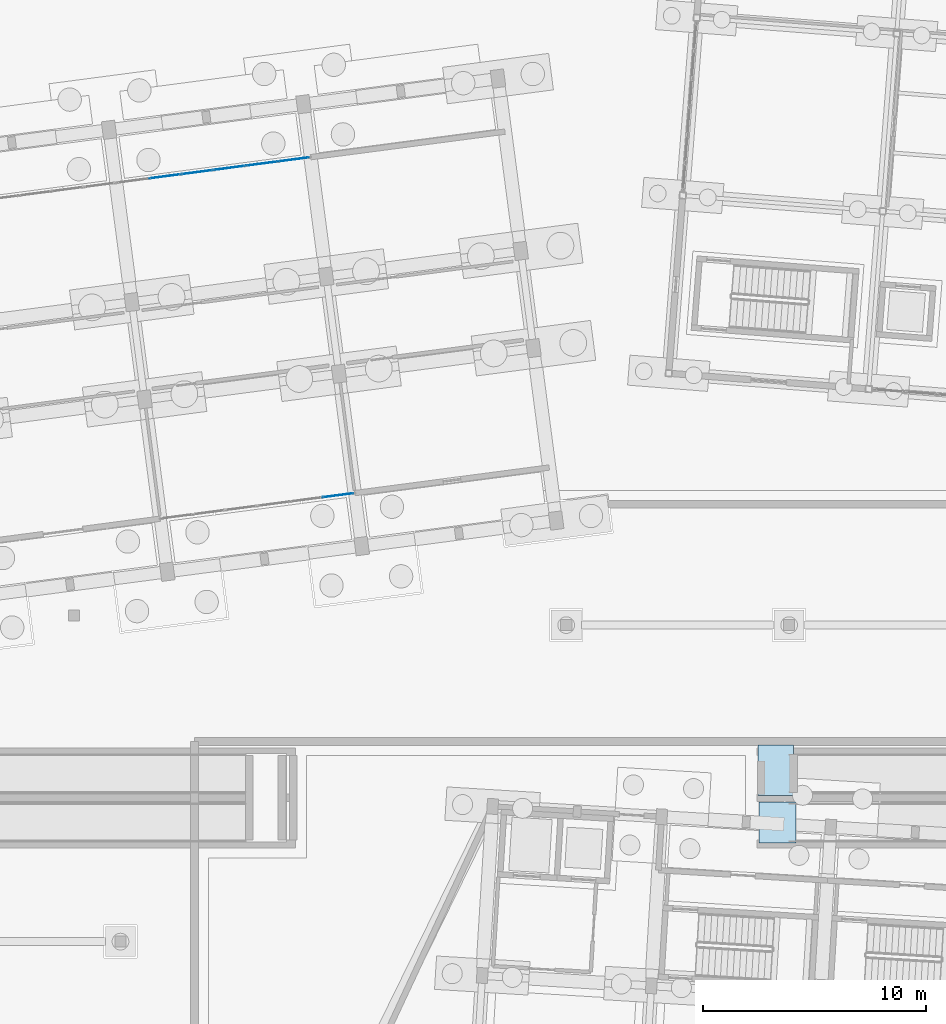
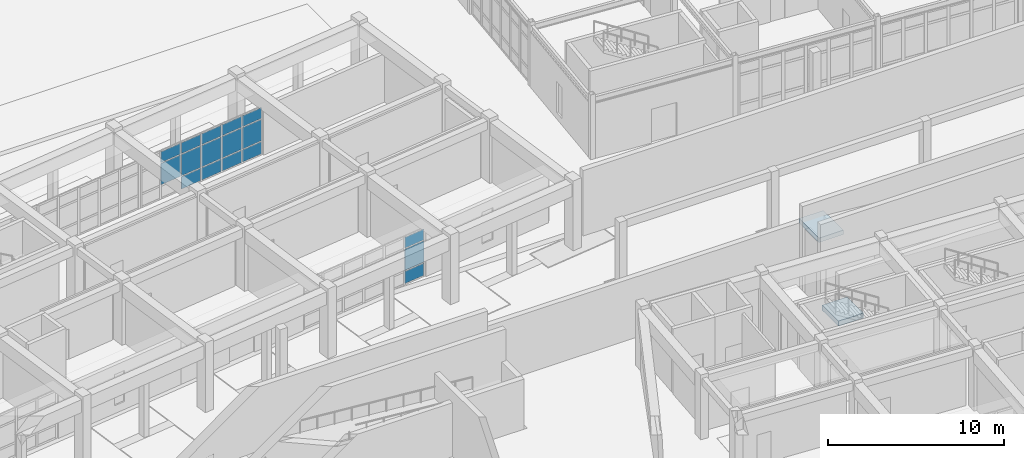
# One storey, part 108 of 154: 17 plates, 2 slabs, 4 elements without a shape of their own.
"""IFC4 building model written with IfcOpenShell, lengths in metres."""

from ifc_helpers import new_model, si_unit, direction, frame, origin, origin_2d, place, context, subcontext, project, spatial, polyline, rectangle, outline, extrude, material, layer, layer_set, type_object, element, aggregate, save


model = new_model("IFC4")

# Units and contexts
model_context = context("Model", 3, precision=1e-05, world=origin(), true_north=direction((0.0, 1.0)))
body_context = subcontext(model_context, "Body", "Model", "MODEL_VIEW")
ifc_project = project(units=[si_unit("LENGTHUNIT", "METRE"), si_unit("AREAUNIT", "SQUARE_METRE"), si_unit("VOLUMEUNIT", "CUBIC_METRE"), si_unit("PLANEANGLEUNIT", "RADIAN"), si_unit("MASSUNIT", "GRAM", prefix="KILO")], contexts=[model_context])

# Site, building, storey
site_placement = place(None, origin())
site = spatial("IfcSite", under=ifc_project, at=site_placement, CompositionType="ELEMENT")
building_placement = place(site_placement, origin())
building = spatial("IfcBuilding", under=site, at=building_placement, Name="Kestramere Prow Commons", CompositionType="ELEMENT")
storey_placement = place(building_placement, origin())
storey = spatial("IfcBuildingStorey", under=building, at=storey_placement, Name="L00", CompositionType="ELEMENT", Elevation=0.0)

# Curtain wall, plates
ifc_material_1 = material(Name="Anodised Aluminium and Low-E Glass", Category="aluminium")
curtain_wall_type = type_object("IfcCurtainWallType", Name="CW-01 Glazed Curtain Wall 8780x3350", PredefinedType="USERDEFINED", material=ifc_material_1)
curtain_wall_1_placement = place(storey_placement, origin())
curtain_wall_1 = element("IfcCurtainWall", 1, at=curtain_wall_1_placement, inside=storey, type_object=curtain_wall_type, Name="Block A L00 South Colonnade Storefront 5", ObjectType="GLAZED CURTAIN WALL", PredefinedType="USERDEFINED")
ifc_material_2 = material(Name="Low-E Laminated Double Glazing", Category="glass")
ifc_layer_1 = layer(ifc_material_2, 0.028076171875)
ifc_layer_set_1 = layer_set([ifc_layer_1], Name="Low-E Laminated Double Glazing")
plate_type = type_object("IfcPlateType", Name="CW-PNL-28", PredefinedType="CURTAIN_PANEL", material=ifc_layer_set_1)
plate_1_placement = place(storey_placement, frame((53.7587890625, 80.023681640625, 0.06494140625), z_axis=(0.0, 0.0, 1.0), x_axis=(-0.991444861125, -0.130526194106, 0.0)))
plate_1 = element("IfcPlate", 2, at=plate_1_placement, type_object=plate_type, Name="CW-01 panel 1.1", PredefinedType="CURTAIN_PANEL", context=body_context, shape_type="SweptSolid", body=[
    extrude(rectangle(XDim=1.36572265625, YDim=0.028076171875, at=origin_2d()), origin(), (0.0, 0.0, 1.0), 0.8525390625),
])
plate_2_placement = place(storey_placement, frame((53.7587890625, 80.023681640625, 0.982421875), z_axis=(0.0, 0.0, 1.0), x_axis=(-0.991444861125, -0.130526194106, 0.0)))
plate_2 = element("IfcPlate", 3, at=plate_2_placement, type_object=plate_type, Name="CW-01 panel 1.2", PredefinedType="CURTAIN_PANEL", context=body_context, shape_type="SweptSolid", body=[
    extrude(rectangle(XDim=1.36572265625, YDim=0.028076171875, at=origin_2d()), origin(), (0.0, 0.0, 1.0), 1.485107421875),
])
plate_3_placement = place(storey_placement, frame((53.7587890625, 80.023681640625, 2.532470703125), z_axis=(0.0, 0.0, 1.0), x_axis=(-0.991444861125, -0.130526194106, 0.0)))
plate_3 = element("IfcPlate", 4, at=plate_3_placement, type_object=plate_type, Name="CW-01 panel 1.3", PredefinedType="CURTAIN_PANEL", context=body_context, shape_type="SweptSolid", body=[
    extrude(rectangle(XDim=1.36572265625, YDim=0.028076171875, at=origin_2d()), origin(), (0.0, 0.0, 1.0), 0.75244140625),
])
aggregate(curtain_wall_1, [plate_1, plate_2, plate_3])

curtain_wall_2_placement = place(storey_placement, origin())
curtain_wall_2 = element("IfcCurtainWall", 5, at=curtain_wall_2_placement, inside=storey, type_object=curtain_wall_type, Name="Block A L00 North Courtyard Storefront 5", ObjectType="GLAZED CURTAIN WALL", PredefinedType="USERDEFINED")
plate_4_placement = place(storey_placement, frame((45.98779296875, 94.331787109375, 0.982421875), z_axis=(0.0, 0.0, 1.0), x_axis=(0.991444859185, 0.130526208849, 0.0)))
plate_4 = element("IfcPlate", 6, at=plate_4_placement, type_object=plate_type, Name="CW-01 panel 2.2", PredefinedType="CURTAIN_PANEL", context=body_context, shape_type="SweptSolid", body=[
    extrude(rectangle(XDim=1.3984375, YDim=0.028076171875, at=origin_2d()), origin(), (0.0, 0.0, 1.0), 1.485107421875),
])
plate_5_placement = place(storey_placement, frame((45.98779296875, 94.331787109375, 2.532470703125), z_axis=(0.0, 0.0, 1.0), x_axis=(0.991444859185, 0.130526208849, 0.0)))
plate_5 = element("IfcPlate", 7, at=plate_5_placement, type_object=plate_type, Name="CW-01 panel 2.3", PredefinedType="CURTAIN_PANEL", context=body_context, shape_type="SweptSolid", body=[
    extrude(rectangle(XDim=1.3984375, YDim=0.028076171875, at=origin_2d()), origin(), (0.0, 0.0, 1.0), 0.75244140625),
])
plate_6_placement = place(storey_placement, frame((47.4384765625, 94.522705078125, 0.06494140625), z_axis=(0.0, 0.0, 1.0), x_axis=(0.991444859185, 0.130526208849, 0.0)))
plate_6 = element("IfcPlate", 8, at=plate_6_placement, type_object=plate_type, Name="CW-01 panel 3.1", PredefinedType="CURTAIN_PANEL", context=body_context, shape_type="SweptSolid", body=[
    extrude(rectangle(XDim=1.3984375, YDim=0.028076171875, at=origin_2d()), origin(), (0.0, 0.0, 1.0), 0.8525390625),
])
plate_7_placement = place(storey_placement, frame((47.4384765625, 94.522705078125, 0.982421875), z_axis=(0.0, 0.0, 1.0), x_axis=(0.991444859185, 0.130526208849, 0.0)))
plate_7 = element("IfcPlate", 9, at=plate_7_placement, type_object=plate_type, Name="CW-01 panel 3.2", PredefinedType="CURTAIN_PANEL", context=body_context, shape_type="SweptSolid", body=[
    extrude(rectangle(XDim=1.3984375, YDim=0.028076171875, at=origin_2d()), origin(), (0.0, 0.0, 1.0), 1.485107421875),
])
plate_8_placement = place(storey_placement, frame((47.4384765625, 94.522705078125, 2.532470703125), z_axis=(0.0, 0.0, 1.0), x_axis=(0.991444859185, 0.130526208849, 0.0)))
plate_8 = element("IfcPlate", 10, at=plate_8_placement, type_object=plate_type, Name="CW-01 panel 3.3", PredefinedType="CURTAIN_PANEL", context=body_context, shape_type="SweptSolid", body=[
    extrude(rectangle(XDim=1.3984375, YDim=0.028076171875, at=origin_2d()), origin(), (0.0, 0.0, 1.0), 0.75244140625),
])
plate_9_placement = place(storey_placement, frame((48.889404296875, 94.7138671875, 0.06494140625), z_axis=(0.0, 0.0, 1.0), x_axis=(0.991444859185, 0.130526208849, 0.0)))
plate_9 = element("IfcPlate", 11, at=plate_9_placement, type_object=plate_type, Name="CW-01 panel 4.1", PredefinedType="CURTAIN_PANEL", context=body_context, shape_type="SweptSolid", body=[
    extrude(rectangle(XDim=1.3984375, YDim=0.028076171875, at=origin_2d()), origin(), (0.0, 0.0, 1.0), 0.8525390625),
])
plate_10_placement = place(storey_placement, frame((48.889404296875, 94.7138671875, 0.982421875), z_axis=(0.0, 0.0, 1.0), x_axis=(0.991444859185, 0.130526208849, 0.0)))
plate_10 = element("IfcPlate", 12, at=plate_10_placement, type_object=plate_type, Name="CW-01 panel 4.2", PredefinedType="CURTAIN_PANEL", context=body_context, shape_type="SweptSolid", body=[
    extrude(rectangle(XDim=1.3984375, YDim=0.028076171875, at=origin_2d()), origin(), (0.0, 0.0, 1.0), 1.485107421875),
])
plate_11_placement = place(storey_placement, frame((48.889404296875, 94.7138671875, 2.532470703125), z_axis=(0.0, 0.0, 1.0), x_axis=(0.991444859185, 0.130526208849, 0.0)))
plate_11 = element("IfcPlate", 13, at=plate_11_placement, type_object=plate_type, Name="CW-01 panel 4.3", PredefinedType="CURTAIN_PANEL", context=body_context, shape_type="SweptSolid", body=[
    extrude(rectangle(XDim=1.3984375, YDim=0.028076171875, at=origin_2d()), origin(), (0.0, 0.0, 1.0), 0.75244140625),
])
plate_12_placement = place(storey_placement, frame((50.340087890625, 94.90478515625, 0.06494140625), z_axis=(0.0, 0.0, 1.0), x_axis=(0.991444859185, 0.130526208849, 0.0)))
plate_12 = element("IfcPlate", 14, at=plate_12_placement, type_object=plate_type, Name="CW-01 panel 5.1", PredefinedType="CURTAIN_PANEL", context=body_context, shape_type="SweptSolid", body=[
    extrude(rectangle(XDim=1.3984375, YDim=0.028076171875, at=origin_2d()), origin(), (0.0, 0.0, 1.0), 0.8525390625),
])
plate_13_placement = place(storey_placement, frame((50.340087890625, 94.90478515625, 0.982421875), z_axis=(0.0, 0.0, 1.0), x_axis=(0.991444859185, 0.130526208849, 0.0)))
plate_13 = element("IfcPlate", 15, at=plate_13_placement, type_object=plate_type, Name="CW-01 panel 5.2", PredefinedType="CURTAIN_PANEL", context=body_context, shape_type="SweptSolid", body=[
    extrude(rectangle(XDim=1.3984375, YDim=0.028076171875, at=origin_2d()), origin(), (0.0, 0.0, 1.0), 1.485107421875),
])
plate_14_placement = place(storey_placement, frame((50.340087890625, 94.90478515625, 2.532470703125), z_axis=(0.0, 0.0, 1.0), x_axis=(0.991444859185, 0.130526208849, 0.0)))
plate_14 = element("IfcPlate", 16, at=plate_14_placement, type_object=plate_type, Name="CW-01 panel 5.3", PredefinedType="CURTAIN_PANEL", context=body_context, shape_type="SweptSolid", body=[
    extrude(rectangle(XDim=1.3984375, YDim=0.028076171875, at=origin_2d()), origin(), (0.0, 0.0, 1.0), 0.75244140625),
])
plate_15_placement = place(storey_placement, frame((51.77490234375, 95.09375, 0.06494140625), z_axis=(0.0, 0.0, 1.0), x_axis=(0.991444859185, 0.130526208849, 0.0)))
plate_15 = element("IfcPlate", 17, at=plate_15_placement, type_object=plate_type, Name="CW-01 panel 6.1", PredefinedType="CURTAIN_PANEL", context=body_context, shape_type="SweptSolid", body=[
    extrude(rectangle(XDim=1.36572265625, YDim=0.028076171875, at=origin_2d()), origin(), (0.0, 0.0, 1.0), 0.8525390625),
])
plate_16_placement = place(storey_placement, frame((51.77490234375, 95.09375, 0.982421875), z_axis=(0.0, 0.0, 1.0), x_axis=(0.991444859185, 0.130526208849, 0.0)))
plate_16 = element("IfcPlate", 18, at=plate_16_placement, type_object=plate_type, Name="CW-01 panel 6.2", PredefinedType="CURTAIN_PANEL", context=body_context, shape_type="SweptSolid", body=[
    extrude(rectangle(XDim=1.36572265625, YDim=0.028076171875, at=origin_2d()), origin(), (0.0, 0.0, 1.0), 1.485107421875),
])
plate_17_placement = place(storey_placement, frame((51.77490234375, 95.09375, 2.532470703125), z_axis=(0.0, 0.0, 1.0), x_axis=(0.991444859185, 0.130526208849, 0.0)))
plate_17 = element("IfcPlate", 19, at=plate_17_placement, type_object=plate_type, Name="CW-01 panel 6.3", PredefinedType="CURTAIN_PANEL", context=body_context, shape_type="SweptSolid", body=[
    extrude(rectangle(XDim=1.36572265625, YDim=0.028076171875, at=origin_2d()), origin(), (0.0, 0.0, 1.0), 0.75244140625),
])
aggregate(curtain_wall_2, [plate_4, plate_5, plate_6, plate_7, plate_8, plate_9, plate_10, plate_11, plate_12, plate_13, plate_14, plate_15, plate_16, plate_17])

# Ramp, slab
ifc_material_3 = material(Name="Concrete C35/45", Category="concrete")
ramp_type = type_object("IfcRampType", Name="RMP-ACC-1800", PredefinedType="STRAIGHT_RUN_RAMP", material=ifc_material_3)
ramp_1_placement = place(storey_placement, origin())
ramp_1 = element("IfcRamp", 20, at=ramp_1_placement, inside=storey, type_object=ramp_type, Name="Central Hillside Lower Accessible Ramp", PredefinedType="STRAIGHT_RUN_RAMP")
ifc_layer_2 = layer(ifc_material_3, 0.300048828125)
ifc_layer_set_2 = layer_set([ifc_layer_2], Name="Concrete C35/45")
slab_type = type_object("IfcSlabType", Name="SL-RMP-LAND-300", PredefinedType="LANDING", material=ifc_layer_set_2)
slab_1_placement = place(storey_placement, frame((0.0, 0.0, -0.35009765625)))
slab_1 = element("IfcSlab", 21, at=slab_1_placement, type_object=slab_type, Name="Central Hillside Lower Accessible Ramp Bottom Threshold Pad", PredefinedType="LANDING", context=body_context, shape_type="SweptSolid", body=[
    extrude(outline(polyline([(72.64990234375, 64.429931640625), (74.300048828125, 64.429931640625), (74.300048828125, 66.27001953125), (72.64990234375, 66.27001953125), (72.64990234375, 64.429931640625)])), origin(), (0.0, 0.0, 1.0), 0.35009765625),
])
aggregate(ramp_1, [slab_1])

ramp_2_placement = place(storey_placement, origin())
ramp_2 = element("IfcRamp", 22, at=ramp_2_placement, inside=storey, type_object=ramp_type, Name="Central Hillside Upper Accessible Ramp", PredefinedType="STRAIGHT_RUN_RAMP")
slab_2_placement = place(storey_placement, frame((0.0, 0.0, 4.199951171875)))
slab_2 = element("IfcSlab", 23, at=slab_2_placement, type_object=slab_type, Name="Central Hillside Ramp Top Arrival Landing", PredefinedType="LANDING", context=body_context, shape_type="SweptSolid", body=[
    extrude(outline(polyline([(72.60009765625, 66.550048828125), (74.199951171875, 66.550048828125), (74.199951171875, 68.820068359375), (72.60009765625, 68.820068359375), (72.60009765625, 66.550048828125)])), origin(), (0.0, 0.0, 1.0), 0.300048828125),
])
aggregate(ramp_2, [slab_2])

save(model, "model.ifc")
